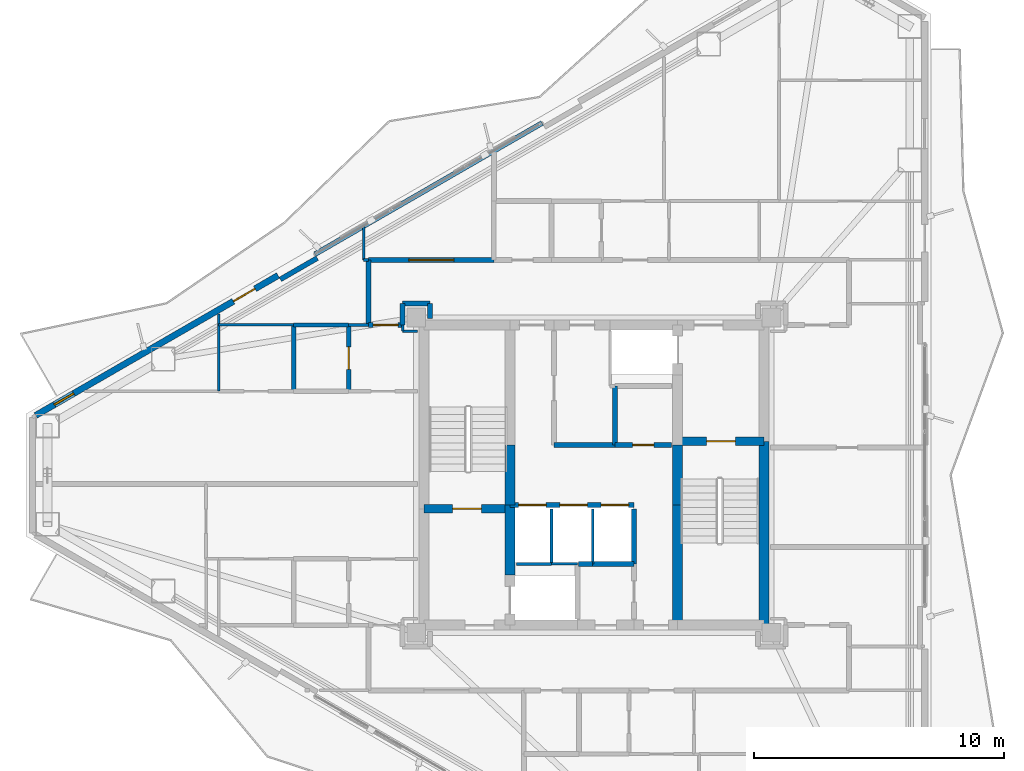
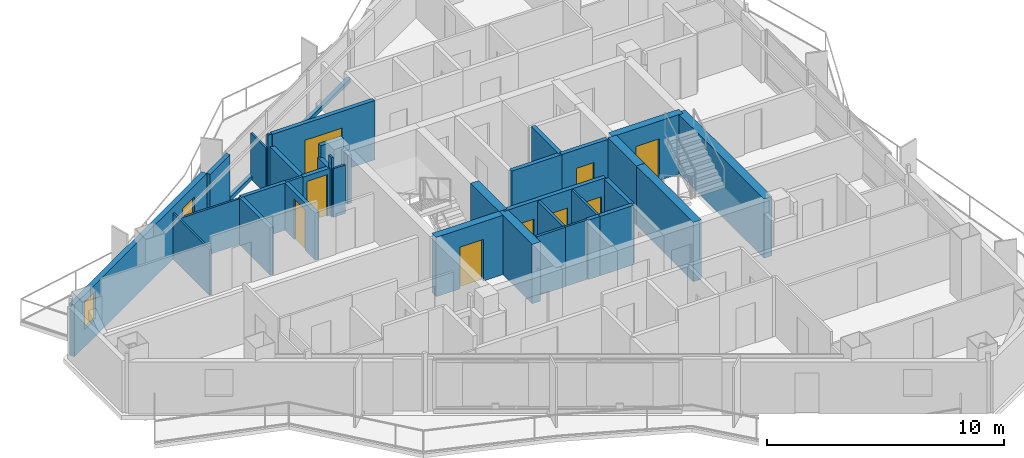
# One storey, part 14 of 19: 37 walls, 10 doors, 1 window, 11 openings.
"""IFC4 building model written with IfcOpenShell, lengths in metres."""

from ifc_helpers import new_model, si_unit, direction, frame, frame_2d, origin, place, context, subcontext, project, spatial, rectangle, extrude, material, layer, layer_set, type_object, element, fill, save


model = new_model("IFC4")

# Units and contexts
model_context = context("Model", 3, precision=1e-05, world=origin(), true_north=direction((0.0, 1.0)))
body_context = subcontext(model_context, "Body", "Model", "MODEL_VIEW")
ifc_project = project(units=[si_unit("LENGTHUNIT", "METRE"), si_unit("AREAUNIT", "SQUARE_METRE"), si_unit("VOLUMEUNIT", "CUBIC_METRE"), si_unit("PLANEANGLEUNIT", "RADIAN"), si_unit("MASSUNIT", "GRAM", prefix="KILO")], contexts=[model_context])

# Site, building, storey
site_placement = place(None, origin())
site = spatial("IfcSite", under=ifc_project, at=site_placement, CompositionType="ELEMENT")
building_placement = place(site_placement, origin())
building = spatial("IfcBuilding", under=site, at=building_placement, Name="Mersakhor Tower and Convention Hall", CompositionType="ELEMENT")
storey_placement = place(building_placement, frame((0.0, 0.0, 124.5)))
storey = spatial("IfcBuildingStorey", under=building, at=storey_placement, Name="L34", CompositionType="ELEMENT", Elevation=124.5)

# Wall, openings, door, window
ifc_material_1 = material(Name="Precast concrete C40/50", Category="concrete")
ifc_layer_1 = layer(ifc_material_1, 0.25)
ifc_layer_set_1 = layer_set([ifc_layer_1], Name="Precast concrete C40/50")
wall_type_1 = type_object("IfcWallType", Name="WL-EXT-250", PredefinedType="SOLIDWALL", material=ifc_layer_set_1)
wall_1_placement = place(storey_placement, frame((6.690185546875, 29.1337890625, 0.0), z_axis=(0.0, 0.0, 1.0), x_axis=(0.866027848477, 0.499995765644, 0.0)))
wall_1 = element("IfcWall", 1, at=wall_1_placement, inside=storey, type_object=wall_type_1, Name="L34 Exterior Facade Wall F1-B1", PredefinedType="SOLIDWALL", context=body_context, shape_type="SweptSolid", body=[
    extrude(rectangle(XDim=11.18603515625, YDim=0.25, at=frame_2d((5.593017578125, 0.0))), origin(), (0.0, 0.0, 1.0), 2.679931640625),
])
opening_1_placement = place(wall_1_placement, frame((9.1220703125, 0.0, 0.0)))
opening_1 = element("IfcOpeningElement", 2, at=opening_1_placement, cuts=wall_1, Name="Opening BD-01", PredefinedType="OPENING", context=body_context, shape_type="SweptSolid", body=[
    extrude(rectangle(XDim=1.0, YDim=2.10009765625, at=frame_2d((0.5, 1.050048828125))), frame((0.0, 0.135009765625, 0.0), z_axis=(0.0, -1.0, 0.0), x_axis=(1.0, 0.0, 0.0)), (0.0, 0.0, 1.0), 0.27001953125),
])
opening_2_placement = place(wall_1_placement, frame((0.860107421875, 0.0, 0.89990234375)))
opening_2 = element("IfcOpeningElement", 3, at=opening_2_placement, cuts=wall_1, Name="Opening W-06", PredefinedType="OPENING", context=body_context, shape_type="SweptSolid", body=[
    extrude(rectangle(XDim=0.89990234375, YDim=1.39990234375, at=frame_2d((0.449951171875, 0.699951171875))), frame((0.0, 0.135009765625, 0.0), z_axis=(0.0, -1.0, 0.0), x_axis=(1.0, 0.0, 0.0)), (0.0, 0.0, 1.0), 0.27001953125),
])
ifc_material_2 = material(Name="Thermally broken dark aluminium and safety glass", Category="aluminium")
door_type_1 = type_object("IfcDoorType", Name="DR-BAL-100x210", OperationType="NOTDEFINED", PredefinedType="DOOR", material=ifc_material_2)
door_1_placement = place(opening_1_placement, origin())
door_1 = element("IfcDoor", 4, at=door_1_placement, inside=storey, type_object=door_type_1, Name="L34 Balcony Terrace Door F1-B1", OperationType="SINGLE_SWING_LEFT", OverallHeight=2.10009765625, OverallWidth=1.0, PredefinedType="DOOR", context=body_context, shape_type="SweptSolid", body=[
    extrude(rectangle(XDim=1.0, YDim=2.10009765625, at=frame_2d((0.5, 1.050048828125))), frame((0.0, 0.02490234375, 0.0), z_axis=(0.0, -1.0, 0.0), x_axis=(1.0, 0.0, 0.0)), (0.0, 0.0, 1.0), 0.050048828125),
])
fill(opening_1, door_1)
ifc_material_3 = material(Name="Dark solar low-E glazed aluminium window", Category="aluminium")
window_type = type_object("IfcWindowType", Name="WN-STD-090x140", PartitioningType="SINGLE_PANEL", PredefinedType="WINDOW", material=ifc_material_3)
window_placement = place(opening_2_placement, origin())
window = element("IfcWindow", 5, at=window_placement, inside=storey, type_object=window_type, Name="L34 Bedroom Facade Window F1-B1-1", OverallHeight=1.39990234375, OverallWidth=0.89990234375, PartitioningType="SINGLE_PANEL", PredefinedType="WINDOW", context=body_context, shape_type="SweptSolid", body=[
    extrude(rectangle(XDim=0.89990234375, YDim=1.39990234375, at=frame_2d((0.449951171875, 0.699951171875))), frame((0.0, 0.030029296875, 0.0), z_axis=(0.0, -1.0, 0.0), x_axis=(1.0, 0.0, 0.0)), (0.0, 0.0, 1.0), 0.06005859375),
])
fill(opening_2, window)

# Walls
ifc_material_4 = material(Name="Precast concrete C40/50", Category="concrete")
ifc_layer_2 = layer(ifc_material_4, 0.199951171875)
ifc_layer_set_2 = layer_set([ifc_layer_2], Name="Precast concrete C40/50")
wall_type_2 = type_object("IfcWallType", Name="WL-PAR-200", PredefinedType="PARAPET", material=ifc_layer_set_2)
wall_2_placement = place(storey_placement, frame((17.849853515625, 35.57666015625, 0.0), z_axis=(0.0, 0.0, 1.0), x_axis=(0.866026619769, 0.499997893847, 0.0)))
element("IfcWall", 6, at=wall_2_placement, inside=storey, type_object=wall_type_2, Name="L34 Curtain Wall Upstand Sill F1-B2", PredefinedType="PARAPET", context=body_context, shape_type="SweptSolid", body=[
    extrude(rectangle(XDim=10.48583984375, YDim=0.199951171875, at=frame_2d((5.242919921875, 0.0))), origin(), (0.0, 0.0, 1.0), 0.199951171875),
])
wall_3_placement = place(storey_placement, frame((16.467529296875, 34.57080078125, 0.0), z_axis=(0.0, 0.0, 1.0), x_axis=(0.865989465428, 0.500062241894, 0.0)))
element("IfcWall", 7, at=wall_3_placement, inside=storey, type_object=wall_type_2, Name="L34 Column Pier Cladding Wall F1-C1", PredefinedType="PARAPET", context=body_context, shape_type="SweptSolid", body=[
    extrude(rectangle(XDim=1.699951171875, YDim=0.199951171875, at=frame_2d((0.85009765625, 0.0))), origin(), (0.0, 0.0, 1.0), 2.679931640625),
])

# Wall, opening, door
ifc_material_5 = material(Name="Moisture-resistant acoustic drywall studwork", Category="other")
ifc_layer_3 = layer(ifc_material_5, 0.175048828125)
ifc_layer_set_3 = layer_set([ifc_layer_3], Name="Moisture-resistant acoustic drywall studwork")
wall_type_3 = type_object("IfcWallType", Name="WL-PLM-175", PredefinedType="PLUMBINGWALL", material=ifc_layer_set_3)
wall_4_placement = place(storey_placement, frame((19.199951171875, 30.10009765625, 0.0), z_axis=(0.0, 0.0, 1.0), x_axis=(0.0, 1.0, 0.0)))
wall_4 = element("IfcWall", 8, at=wall_4_placement, inside=storey, type_object=wall_type_3, Name="L34 Interior Partition Wall P-058", PredefinedType="PLUMBINGWALL", context=body_context, shape_type="SweptSolid", body=[
    extrude(rectangle(XDim=2.64990234375, YDim=0.175048828125, at=frame_2d((1.324951171875, 0.0))), origin(), (0.0, 0.0, 1.0), 2.432861328125),
])
opening_3_placement = place(wall_4_placement, frame((0.875, 0.0, 0.0)))
opening_3 = element("IfcOpeningElement", 9, at=opening_3_placement, cuts=wall_4, Name="Opening WD-01", PredefinedType="OPENING", context=body_context, shape_type="SweptSolid", body=[
    extrude(rectangle(XDim=0.89990234375, YDim=2.10009765625, at=frame_2d((0.449951171875, 1.050048828125))), frame((0.0, 0.097412109375, 0.0), z_axis=(0.0, -1.0, 0.0), x_axis=(1.0, 0.0, 0.0)), (0.0, 0.0, 1.0), 0.195068359375),
])
ifc_material_6 = material(Name="Solid-core hardwood leaf in painted steel frame", Category="steel")
door_type_2 = type_object("IfcDoorType", Name="DR-INT-WET-090x210", OperationType="NOTDEFINED", PredefinedType="DOOR", material=ifc_material_6)
door_2_placement = place(opening_3_placement, origin())
door_2 = element("IfcDoor", 10, at=door_2_placement, inside=storey, type_object=door_type_2, Name="L34 L34 Flat W3 Apartment Hall to L34 Flat W3 Bathroom Door", OperationType="SINGLE_SWING_RIGHT", OverallHeight=2.10009765625, OverallWidth=0.89990234375, PredefinedType="DOOR", context=body_context, shape_type="SweptSolid", body=[
    extrude(rectangle(XDim=0.89990234375, YDim=2.10009765625, at=frame_2d((0.449951171875, 1.050048828125))), frame((0.0, 0.02490234375, 0.0), z_axis=(0.0, -1.0, 0.0), x_axis=(1.0, 0.0, 0.0)), (0.0, 0.0, 1.0), 0.050048828125),
])
fill(opening_3, door_2)

# Walls
wall_5_placement = place(storey_placement, frame((17.0, 32.75, 0.0), z_axis=(0.0, 0.0, 1.0), x_axis=(1.0, 0.0, 0.0)))
element("IfcWall", 11, at=wall_5_placement, inside=storey, type_object=wall_type_3, Name="L34 Interior Partition Wall P-079", PredefinedType="PLUMBINGWALL", context=body_context, shape_type="SweptSolid", body=[
    extrude(rectangle(XDim=2.199951171875, YDim=0.175048828125, at=frame_2d((1.10009765625, 0.0))), origin(), (0.0, 0.0, 1.0), 2.432861328125),
])
wall_6_placement = place(storey_placement, frame((17.0, 30.10009765625, 0.0), z_axis=(0.0, 0.0, 1.0), x_axis=(0.0, 1.0, 0.0)))
element("IfcWall", 12, at=wall_6_placement, inside=storey, type_object=wall_type_3, Name="L34 Interior Partition Wall P-081", PredefinedType="PLUMBINGWALL", context=body_context, shape_type="SweptSolid", body=[
    extrude(rectangle(XDim=2.64990234375, YDim=0.175048828125, at=frame_2d((1.324951171875, 0.0))), origin(), (0.0, 0.0, 1.0), 2.432861328125),
])
ifc_material_7 = material(Name="Lightweight gypsum partition", Category="other")
ifc_layer_4 = layer(ifc_material_7, 0.10009765625)
ifc_layer_set_4 = layer_set([ifc_layer_4], Name="Lightweight gypsum partition")
wall_type_4 = type_object("IfcWallType", Name="WL-PRT-100", PredefinedType="PARTITIONING", material=ifc_layer_set_4)
wall_7_placement = place(storey_placement, frame((27.300048828125, 23.199951171875, 0.0), z_axis=(0.0, 0.0, 1.0), x_axis=(1.0, 0.0, 0.0)))
element("IfcWall", 13, at=wall_7_placement, inside=storey, type_object=wall_type_4, Name="L34 Interior Partition Wall P-002", PredefinedType="PARTITIONING", context=body_context, shape_type="SweptSolid", body=[
    extrude(rectangle(XDim=1.050048828125, YDim=0.10009765625, at=frame_2d((0.52490234375, 0.0))), origin(), (0.0, 0.0, 1.0), 3.06005859375),
])
wall_8_placement = place(storey_placement, frame((28.949951171875, 25.39990234375, 0.0), z_axis=(0.0, 0.0, 1.0), x_axis=(0.0, -1.0, 0.0)))
element("IfcWall", 14, at=wall_8_placement, inside=storey, type_object=wall_type_4, Name="L34 Interior Partition Wall P-008", PredefinedType="PARTITIONING", context=body_context, shape_type="SweptSolid", body=[
    extrude(rectangle(XDim=2.199951171875, YDim=0.10009765625, at=frame_2d((1.10009765625, 0.0))), origin(), (0.0, 0.0, 1.0), 3.06005859375),
])
wall_9_placement = place(storey_placement, frame((21.35009765625, 32.5, 0.0), z_axis=(0.0, 0.0, 1.0), x_axis=(1.0, 0.0, 0.0)))
element("IfcWall", 15, at=wall_9_placement, inside=storey, type_object=wall_type_4, Name="L34 Interior Partition Wall P-056", PredefinedType="PARTITIONING", context=body_context, shape_type="SweptSolid", body=[
    extrude(rectangle(XDim=0.599853515625, YDim=0.10009765625, at=frame_2d((0.2998046875, 0.0))), origin(), (0.0, 0.0, 1.0), 2.50830078125),
])
wall_10_placement = place(storey_placement, frame((21.35009765625, 32.75, 0.0), z_axis=(0.0, 0.0, 1.0), x_axis=(0.0, -1.0, 0.0)))
element("IfcWall", 16, at=wall_10_placement, inside=storey, type_object=wall_type_4, Name="L34 Interior Partition Wall P-060", PredefinedType="PARTITIONING", context=body_context, shape_type="SweptSolid", body=[
    extrude(rectangle(XDim=0.25, YDim=0.10009765625, at=frame_2d((0.125, 0.0))), origin(), (0.0, 0.0, 1.0), 3.06005859375),
])
wall_11_placement = place(storey_placement, frame((14.0, 32.75, 0.0), z_axis=(0.0, 0.0, 1.0), x_axis=(1.0, 0.0, 0.0)))
element("IfcWall", 17, at=wall_11_placement, inside=storey, type_object=wall_type_4, Name="L34 Interior Partition Wall P-082", PredefinedType="PARTITIONING", context=body_context, shape_type="SweptSolid", body=[
    extrude(rectangle(XDim=3.0, YDim=0.10009765625, at=frame_2d((1.5, 0.0))), origin(), (0.0, 0.0, 1.0), 2.364990234375),
])
wall_12_placement = place(storey_placement, frame((14.0, 30.10009765625, 0.0), z_axis=(0.0, 0.0, 1.0), x_axis=(0.0, 1.0, 0.0)))
element("IfcWall", 18, at=wall_12_placement, inside=storey, type_object=wall_type_4, Name="L34 Interior Partition Wall P-084", PredefinedType="PARTITIONING", context=body_context, shape_type="SweptSolid", body=[
    extrude(rectangle(XDim=3.081787109375, YDim=0.10009765625, at=frame_2d((1.541015625, 0.0))), origin(), (0.0, 0.0, 1.0), 2.364990234375),
])
wall_13_placement = place(storey_placement, frame((19.800048828125, 35.35009765625, 0.0), z_axis=(0.0, 0.0, 1.0), x_axis=(0.0, 1.0, 0.0)))
element("IfcWall", 19, at=wall_13_placement, inside=storey, type_object=wall_type_4, Name="L34 Interior Partition Wall P-094", PredefinedType="PARTITIONING", context=body_context, shape_type="SweptSolid", body=[
    extrude(rectangle(XDim=1.30859375, YDim=0.10009765625, at=frame_2d((0.654296875, 0.0))), origin(), (0.0, 0.0, 1.0), 2.364990234375),
])
ifc_material_8 = material(Name="Gypsum board acoustic partition", Category="other")
ifc_layer_5 = layer(ifc_material_8, 0.125)
ifc_layer_set_5 = layer_set([ifc_layer_5], Name="Gypsum board acoustic partition")
wall_type_5 = type_object("IfcWallType", Name="WL-PRT-125", PredefinedType="PARTITIONING", material=ifc_layer_set_5)
wall_14_placement = place(storey_placement, frame((25.89990234375, 23.199951171875, 0.0), z_axis=(0.0, 0.0, 1.0), x_axis=(1.0, 0.0, 0.0)))
element("IfcWall", 20, at=wall_14_placement, inside=storey, type_object=wall_type_5, Name="L34 Interior Partition Wall P-001", PredefinedType="PARTITIONING", context=body_context, shape_type="SweptSolid", body=[
    extrude(rectangle(XDim=1.400146484375, YDim=0.125, at=frame_2d((0.7001953125, 0.0))), origin(), (0.0, 0.0, 1.0), 3.06005859375),
])
wall_15_placement = place(storey_placement, frame((27.300048828125, 25.39990234375, 0.0), z_axis=(0.0, 0.0, 1.0), x_axis=(0.0, -1.0, 0.0)))
element("IfcWall", 21, at=wall_15_placement, inside=storey, type_object=wall_type_5, Name="L34 Interior Partition Wall P-007", PredefinedType="PARTITIONING", context=body_context, shape_type="SweptSolid", body=[
    extrude(rectangle(XDim=2.199951171875, YDim=0.125, at=frame_2d((1.10009765625, 0.0))), origin(), (0.0, 0.0, 1.0), 3.06005859375),
])
wall_16_placement = place(storey_placement, frame((19.199951171875, 32.75, 0.0), z_axis=(0.0, 0.0, 1.0), x_axis=(1.0, 0.0, 0.0)))
element("IfcWall", 22, at=wall_16_placement, inside=storey, type_object=wall_type_5, Name="L34 Interior Partition Wall P-059", PredefinedType="PARTITIONING", context=body_context, shape_type="SweptSolid", body=[
    extrude(rectangle(XDim=0.800048828125, YDim=0.125, at=frame_2d((0.39990234375, 0.0))), origin(), (0.0, 0.0, 1.0), 2.432861328125),
])
wall_17_placement = place(storey_placement, frame((20.0, 35.35009765625, 0.0), z_axis=(0.0, 0.0, 1.0), x_axis=(-1.0, 0.0, 0.0)))
element("IfcWall", 23, at=wall_17_placement, inside=storey, type_object=wall_type_5, Name="L34 Interior Partition Wall P-093", PredefinedType="PARTITIONING", context=body_context, shape_type="SweptSolid", body=[
    extrude(rectangle(XDim=0.199951171875, YDim=0.125, at=frame_2d((0.10009765625, 0.0))), origin(), (0.0, 0.0, 1.0), 3.06005859375),
])

# Wall, openings, doors
ifc_material_9 = material(Name="Acoustic concrete blockwork and gypsum board", Category="masonry")
ifc_layer_6 = layer(ifc_material_9, 0.199951171875)
ifc_layer_set_6 = layer_set([ifc_layer_6], Name="Acoustic concrete blockwork and gypsum board")
wall_type_6 = type_object("IfcWallType", Name="WL-PRT-200", PredefinedType="PARTITIONING", material=ifc_layer_set_6)
wall_18_placement = place(storey_placement, frame((25.64990234375, 25.550048828125, 0.0), z_axis=(0.0, 0.0, 1.0), x_axis=(1.0, 0.0, 0.0)))
wall_18 = element("IfcWall", 24, at=wall_18_placement, inside=storey, type_object=wall_type_6, Name="L34 High-Rise Lift Bank Front Wall", PredefinedType="PARTITIONING", context=body_context, shape_type="SweptSolid", body=[
    extrude(rectangle(XDim=4.9501953125, YDim=0.199951171875, at=frame_2d((2.47509765625, 0.0))), origin(), (0.0, 0.0, 1.0), 3.06005859375),
])
opening_4_placement = place(wall_18_placement, frame((0.340087890625, 0.0, 0.0)))
opening_4 = element("IfcOpeningElement", 25, at=opening_4_placement, cuts=wall_18, Name="Opening LD-P4", PredefinedType="OPENING", context=body_context, shape_type="SweptSolid", body=[
    extrude(rectangle(XDim=1.10009765625, YDim=2.14990234375, at=frame_2d((0.550048828125, 1.074951171875))), frame((0.0, 0.10986328125, 0.0), z_axis=(0.0, -1.0, 0.0), x_axis=(1.0, 0.0, 0.0)), (0.0, 0.0, 1.0), 0.219970703125),
])
opening_5_placement = place(wall_18_placement, frame((1.989990234375, 0.0, 0.0)))
opening_5 = element("IfcOpeningElement", 26, at=opening_5_placement, cuts=wall_18, Name="Opening LD-P5", PredefinedType="OPENING", context=body_context, shape_type="SweptSolid", body=[
    extrude(rectangle(XDim=1.10009765625, YDim=2.14990234375, at=frame_2d((0.550048828125, 1.074951171875))), frame((0.0, 0.10986328125, 0.0), z_axis=(0.0, -1.0, 0.0), x_axis=(1.0, 0.0, 0.0)), (0.0, 0.0, 1.0), 0.219970703125),
])
opening_6_placement = place(wall_18_placement, frame((3.639892578125, 0.0, 0.0)))
opening_6 = element("IfcOpeningElement", 27, at=opening_6_placement, cuts=wall_18, Name="Opening LD-P6", PredefinedType="OPENING", context=body_context, shape_type="SweptSolid", body=[
    extrude(rectangle(XDim=1.10009765625, YDim=2.14990234375, at=frame_2d((0.550048828125, 1.074951171875))), frame((0.0, 0.10986328125, 0.0), z_axis=(0.0, -1.0, 0.0), x_axis=(1.0, 0.0, 0.0)), (0.0, 0.0, 1.0), 0.219970703125),
])
ifc_material_10 = material(Name="Fire-rated brushed stainless steel sliding landing door", Category="steel")
door_type_3 = type_object("IfcDoorType", Name="DR-LIFT-SLD-110x215", OperationType="NOTDEFINED", PredefinedType="DOOR", material=ifc_material_10)
door_3_placement = place(opening_4_placement, origin())
door_3 = element("IfcDoor", 28, at=door_3_placement, inside=storey, type_object=door_type_3, Name="L34 Lift Landing Door LD-P4", OperationType="SLIDING_TO_LEFT", OverallHeight=2.14990234375, OverallWidth=1.10009765625, PredefinedType="DOOR", context=body_context, shape_type="SweptSolid", body=[
    extrude(rectangle(XDim=1.10009765625, YDim=2.14990234375, at=frame_2d((0.550048828125, 1.074951171875))), frame((0.0, 0.02490234375, 0.0), z_axis=(0.0, -1.0, 0.0), x_axis=(1.0, 0.0, 0.0)), (0.0, 0.0, 1.0), 0.050048828125),
])
fill(opening_4, door_3)
door_4_placement = place(opening_5_placement, origin())
door_4 = element("IfcDoor", 29, at=door_4_placement, inside=storey, type_object=door_type_3, Name="L34 Lift Landing Door LD-P5", OperationType="SLIDING_TO_LEFT", OverallHeight=2.14990234375, OverallWidth=1.10009765625, PredefinedType="DOOR", context=body_context, shape_type="SweptSolid", body=[
    extrude(rectangle(XDim=1.10009765625, YDim=2.14990234375, at=frame_2d((0.550048828125, 1.074951171875))), frame((0.0, 0.02490234375, 0.0), z_axis=(0.0, -1.0, 0.0), x_axis=(1.0, 0.0, 0.0)), (0.0, 0.0, 1.0), 0.050048828125),
])
fill(opening_5, door_4)
door_5_placement = place(opening_6_placement, origin())
door_5 = element("IfcDoor", 30, at=door_5_placement, inside=storey, type_object=door_type_3, Name="L34 Lift Landing Door LD-P6", OperationType="SLIDING_TO_LEFT", OverallHeight=2.14990234375, OverallWidth=1.10009765625, PredefinedType="DOOR", context=body_context, shape_type="SweptSolid", body=[
    extrude(rectangle(XDim=1.10009765625, YDim=2.14990234375, at=frame_2d((0.550048828125, 1.074951171875))), frame((0.0, 0.02490234375, 0.0), z_axis=(0.0, -1.0, 0.0), x_axis=(1.0, 0.0, 0.0)), (0.0, 0.0, 1.0), 0.050048828125),
])
fill(opening_6, door_5)

# Walls
wall_19_placement = place(storey_placement, frame((28.949951171875, 23.199951171875, 0.0), z_axis=(0.0, 0.0, 1.0), x_axis=(-1.0, 0.0, 0.0)))
element("IfcWall", 31, at=wall_19_placement, inside=storey, type_object=wall_type_6, Name="L34 Interior Partition Wall P-009", PredefinedType="PARTITIONING", context=body_context, shape_type="SweptSolid", body=[
    extrude(rectangle(XDim=0.570068359375, YDim=0.199951171875, at=frame_2d((0.28515625, 0.0))), origin(), (0.0, 0.0, 1.0), 3.06005859375),
])
wall_20_placement = place(storey_placement, frame((30.60009765625, 25.39990234375, 0.0), z_axis=(0.0, 0.0, 1.0), x_axis=(0.0, -1.0, 0.0)))
element("IfcWall", 32, at=wall_20_placement, inside=storey, type_object=wall_type_6, Name="L34 Interior Partition Wall P-010", PredefinedType="PARTITIONING", context=body_context, shape_type="SweptSolid", body=[
    extrude(rectangle(XDim=2.199951171875, YDim=0.199951171875, at=frame_2d((1.10009765625, 0.0))), origin(), (0.0, 0.0, 1.0), 3.06005859375),
])
wall_21_placement = place(storey_placement, frame((30.60009765625, 23.199951171875, 0.0), z_axis=(0.0, 0.0, 1.0), x_axis=(-1.0, 0.0, 0.0)))
element("IfcWall", 33, at=wall_21_placement, inside=storey, type_object=wall_type_6, Name="L34 Interior Partition Wall P-011", PredefinedType="PARTITIONING", context=body_context, shape_type="SweptSolid", body=[
    extrude(rectangle(XDim=1.650146484375, YDim=0.199951171875, at=frame_2d((0.8251953125, 0.0))), origin(), (0.0, 0.0, 1.0), 3.06005859375),
])
wall_22_placement = place(storey_placement, frame((27.39990234375, 27.949951171875, 0.0), z_axis=(0.0, 0.0, 1.0), x_axis=(1.0, 0.0, 0.0)))
element("IfcWall", 34, at=wall_22_placement, inside=storey, type_object=wall_type_6, Name="L34 Interior Partition Wall P-014", PredefinedType="PARTITIONING", context=body_context, shape_type="SweptSolid", body=[
    extrude(rectangle(XDim=2.4501953125, YDim=0.199951171875, at=frame_2d((1.22509765625, 0.0))), origin(), (0.0, 0.0, 1.0), 3.06005859375),
])

# Wall, opening, door
wall_23_placement = place(storey_placement, frame((29.85009765625, 27.949951171875, 0.0), z_axis=(0.0, 0.0, 1.0), x_axis=(1.0, 0.0, 0.0)))
wall_23 = element("IfcWall", 35, at=wall_23_placement, inside=storey, type_object=wall_type_6, Name="L34 Interior Partition Wall P-015", PredefinedType="PARTITIONING", context=body_context, shape_type="SweptSolid", body=[
    extrude(rectangle(XDim=2.25, YDim=0.199951171875, at=frame_2d((1.125, 0.0))), origin(), (0.0, 0.0, 1.0), 3.06005859375),
])
opening_7_placement = place(wall_23_placement, frame((0.699951171875, 0.0, 0.0)))
opening_7 = element("IfcOpeningElement", 36, at=opening_7_placement, cuts=wall_23, Name="Opening SVD-01", PredefinedType="OPENING", context=body_context, shape_type="SweptSolid", body=[
    extrude(rectangle(XDim=0.85009765625, YDim=2.10009765625, at=frame_2d((0.425048828125, 1.050048828125))), frame((0.0, 0.10986328125, 0.0), z_axis=(0.0, -1.0, 0.0), x_axis=(1.0, 0.0, 0.0)), (0.0, 0.0, 1.0), 0.219970703125),
])
ifc_material_11 = material(Name="Fire-rated hardwood leaf and painted steel frame", Category="steel")
door_type_4 = type_object("IfcDoorType", Name="DR-INT-SVC-085x210", OperationType="NOTDEFINED", PredefinedType="DOOR", material=ifc_material_11)
door_6_placement = place(opening_7_placement, origin())
door_6 = element("IfcDoor", 37, at=door_6_placement, inside=storey, type_object=door_type_4, Name="L34 Central Passenger Lift Lobby to Resident Pram and Linen Store Room Door", OperationType="SINGLE_SWING_RIGHT", OverallHeight=2.10009765625, OverallWidth=0.85009765625, PredefinedType="DOOR", context=body_context, shape_type="SweptSolid", body=[
    extrude(rectangle(XDim=0.85009765625, YDim=2.10009765625, at=frame_2d((0.425048828125, 1.050048828125))), frame((0.0, 0.02490234375, 0.0), z_axis=(0.0, -1.0, 0.0), x_axis=(1.0, 0.0, 0.0)), (0.0, 0.0, 1.0), 0.050048828125),
])
fill(opening_7, door_6)

# Walls
wall_24_placement = place(storey_placement, frame((22.449951171875, 33.0, 0.0), z_axis=(0.0, 0.0, 1.0), x_axis=(0.0, 1.0, 0.0)))
element("IfcWall", 38, at=wall_24_placement, inside=storey, type_object=wall_type_6, Name="L34 Interior Partition Wall P-017", PredefinedType="PARTITIONING", context=body_context, shape_type="SweptSolid", body=[
    extrude(rectangle(XDim=0.60009765625, YDim=0.199951171875, at=frame_2d((0.300048828125, 0.0))), origin(), (0.0, 0.0, 1.0), 2.50830078125),
])
wall_25_placement = place(storey_placement, frame((22.449951171875, 33.60009765625, 0.0), z_axis=(0.0, 0.0, 1.0), x_axis=(-1.0, 0.0, 0.0)))
element("IfcWall", 39, at=wall_25_placement, inside=storey, type_object=wall_type_6, Name="L34 Interior Partition Wall P-018", PredefinedType="PARTITIONING", context=body_context, shape_type="SweptSolid", body=[
    extrude(rectangle(XDim=1.099853515625, YDim=0.199951171875, at=frame_2d((0.5498046875, 0.0))), origin(), (0.0, 0.0, 1.0), 3.06005859375),
])
wall_26_placement = place(storey_placement, frame((21.35009765625, 33.60009765625, 0.0), z_axis=(0.0, 0.0, 1.0), x_axis=(0.0, -1.0, 0.0)))
element("IfcWall", 40, at=wall_26_placement, inside=storey, type_object=wall_type_6, Name="L34 Interior Partition Wall P-019", PredefinedType="PARTITIONING", context=body_context, shape_type="SweptSolid", body=[
    extrude(rectangle(XDim=0.85009765625, YDim=0.199951171875, at=frame_2d((0.425048828125, 0.0))), origin(), (0.0, 0.0, 1.0), 2.432861328125),
])

# Wall, opening, door
wall_27_placement = place(storey_placement, frame((21.35009765625, 32.75, 0.0), z_axis=(0.0, 0.0, 1.0), x_axis=(-1.0, 0.0, 0.0)))
wall_27 = element("IfcWall", 41, at=wall_27_placement, inside=storey, type_object=wall_type_6, Name="L34 Interior Partition Wall P-020", PredefinedType="PARTITIONING", context=body_context, shape_type="SweptSolid", body=[
    extrude(rectangle(XDim=1.35009765625, YDim=0.199951171875, at=frame_2d((0.675048828125, 0.0))), origin(), (0.0, 0.0, 1.0), 2.432861328125),
])
opening_8_placement = place(wall_27_placement, frame((0.175048828125, 0.0, 0.0)))
opening_8 = element("IfcOpeningElement", 42, at=opening_8_placement, cuts=wall_27, Name="Opening FD-01", PredefinedType="OPENING", context=body_context, shape_type="SweptSolid", body=[
    extrude(rectangle(XDim=1.0, YDim=2.14990234375, at=frame_2d((0.5, 1.074951171875))), frame((0.0, 0.10986328125, 0.0), z_axis=(0.0, -1.0, 0.0), x_axis=(1.0, 0.0, 0.0)), (0.0, 0.0, 1.0), 0.219970703125),
])
ifc_material_12 = material(Name="Fire-rated hardwood leaf and painted steel frame", Category="steel")
door_type_5 = type_object("IfcDoorType", Name="DR-INT-FLT-100x215", OperationType="NOTDEFINED", PredefinedType="DOOR", material=ifc_material_12)
door_7_placement = place(opening_8_placement, origin())
door_7 = element("IfcDoor", 43, at=door_7_placement, inside=storey, type_object=door_type_5, Name="L34 Apartment Entrance Door (Residential North Gallery Corridor to L34 Flat W3 Apartment Hall)", OperationType="SINGLE_SWING_LEFT", OverallHeight=2.14990234375, OverallWidth=1.0, PredefinedType="DOOR", context=body_context, shape_type="SweptSolid", body=[
    extrude(rectangle(XDim=1.0, YDim=2.14990234375, at=frame_2d((0.5, 1.074951171875))), frame((0.0, 0.02490234375, 0.0), z_axis=(0.0, -1.0, 0.0), x_axis=(1.0, 0.0, 0.0)), (0.0, 0.0, 1.0), 0.050048828125),
])
fill(opening_8, door_7)

# Wall
wall_28_placement = place(storey_placement, frame((20.0, 32.75, 0.0), z_axis=(0.0, 0.0, 1.0), x_axis=(0.0, 1.0, 0.0)))
element("IfcWall", 44, at=wall_28_placement, inside=storey, type_object=wall_type_6, Name="L34 Interior Partition Wall P-021", PredefinedType="PARTITIONING", context=body_context, shape_type="SweptSolid", body=[
    extrude(rectangle(XDim=2.60009765625, YDim=0.199951171875, at=frame_2d((1.300048828125, 0.0))), origin(), (0.0, 0.0, 1.0), 2.432861328125),
])

# Wall, opening, door
wall_29_placement = place(storey_placement, frame((20.0, 35.35009765625, 0.0), z_axis=(0.0, 0.0, 1.0), x_axis=(1.0, 0.0, 0.0)))
wall_29 = element("IfcWall", 45, at=wall_29_placement, inside=storey, type_object=wall_type_6, Name="L34 Interior Partition Wall P-022", PredefinedType="PARTITIONING", context=body_context, shape_type="SweptSolid", body=[
    extrude(rectangle(XDim=5.0, YDim=0.199951171875, at=frame_2d((2.5, 0.0))), origin(), (0.0, 0.0, 1.0), 3.06005859375),
])
opening_9_placement = place(wall_29_placement, frame((1.60009765625, 0.0, 0.0)))
opening_9 = element("IfcOpeningElement", 46, at=opening_9_placement, cuts=wall_29, Name="Opening HD-01", PredefinedType="OPENING", context=body_context, shape_type="SweptSolid", body=[
    extrude(rectangle(XDim=1.800048828125, YDim=2.199951171875, at=frame_2d((0.89990234375, 1.10009765625))), frame((0.0, 0.10986328125, 0.0), z_axis=(0.0, -1.0, 0.0), x_axis=(1.0, 0.0, 0.0)), (0.0, 0.0, 1.0), 0.219970703125),
])
ifc_material_13 = material(Name="Fire-rated hardwood leaf and painted steel frame", Category="steel")
door_type_6 = type_object("IfcDoorType", Name="DR-INT-HALL-180x220", OperationType="NOTDEFINED", PredefinedType="DOOR", material=ifc_material_13)
door_8_placement = place(opening_9_placement, origin())
door_8 = element("IfcDoor", 47, at=door_8_placement, inside=storey, type_object=door_type_6, Name="L34 Residential North Gallery Corridor to L34 North Floor Residents Meeting Room Door", OperationType="DOUBLE_DOOR_SINGLE_SWING", OverallHeight=2.199951171875, OverallWidth=1.800048828125, PredefinedType="DOOR", context=body_context, shape_type="SweptSolid", body=[
    extrude(rectangle(XDim=1.800048828125, YDim=2.199951171875, at=frame_2d((0.89990234375, 1.10009765625))), frame((0.0, 0.02490234375, 0.0), z_axis=(0.0, -1.0, 0.0), x_axis=(1.0, 0.0, 0.0)), (0.0, 0.0, 1.0), 0.050048828125),
])
fill(opening_9, door_8)

# Wall
wall_30_placement = place(storey_placement, frame((29.85009765625, 30.300048828125, 0.0), z_axis=(0.0, 0.0, 1.0), x_axis=(0.0, -1.0, 0.0)))
element("IfcWall", 48, at=wall_30_placement, inside=storey, type_object=wall_type_6, Name="L34 Interior Partition Wall P-091", PredefinedType="PARTITIONING", context=body_context, shape_type="SweptSolid", body=[
    extrude(rectangle(XDim=2.35009765625, YDim=0.199951171875, at=frame_2d((1.175048828125, 0.0))), origin(), (0.0, 0.0, 1.0), 3.06005859375),
])

# Wall, opening, door
ifc_material_14 = material(Name="Concrete C50/60", Category="concrete")
ifc_layer_7 = layer(ifc_material_14, 0.35009765625)
ifc_layer_set_7 = layer_set([ifc_layer_7], Name="Concrete C50/60")
wall_type_7 = type_object("IfcWallType", Name="WL-SHR-350", PredefinedType="SHEAR", material=ifc_layer_set_7)
wall_31_placement = place(storey_placement, frame((22.199951171875, 25.39990234375, 0.0), z_axis=(0.0, 0.0, 1.0), x_axis=(1.0, 0.0, 0.0)))
wall_31 = element("IfcWall", 49, at=wall_31_placement, inside=storey, type_object=wall_type_7, Name="L34 Core Wall CS-ST1-S", PredefinedType="SHEAR", context=body_context, shape_type="SweptSolid", body=[
    extrude(rectangle(XDim=3.449951171875, YDim=0.35009765625, at=frame_2d((1.72509765625, 0.0))), origin(), (0.0, 0.0, 1.0), 3.06005859375),
])
opening_10_placement = place(wall_31_placement, frame((1.14990234375, 0.0, 0.0)))
opening_10 = element("IfcOpeningElement", 50, at=opening_10_placement, cuts=wall_31, Name="Opening SD-01", PredefinedType="OPENING", context=body_context, shape_type="SweptSolid", body=[
    extrude(rectangle(XDim=1.14990234375, YDim=2.14990234375, at=frame_2d((0.574951171875, 1.074951171875))), frame((0.0, 0.18505859375, 0.0), z_axis=(0.0, -1.0, 0.0), x_axis=(1.0, 0.0, 0.0)), (0.0, 0.0, 1.0), 0.3701171875),
])
ifc_material_15 = material(Name="Fire-rated hardwood leaf and painted steel frame", Category="steel")
door_type_7 = type_object("IfcDoorType", Name="DR-INT-STAIR-115x215", OperationType="NOTDEFINED", PredefinedType="DOOR", material=ifc_material_15)
door_9_placement = place(opening_10_placement, origin())
door_9 = element("IfcDoor", 51, at=door_9_placement, inside=storey, type_object=door_type_7, Name="L34 Exit Stair ST-1 Enclosure Door", OperationType="SINGLE_SWING_LEFT", OverallHeight=2.14990234375, OverallWidth=1.14990234375, PredefinedType="DOOR", context=body_context, shape_type="SweptSolid", body=[
    extrude(rectangle(XDim=1.14990234375, YDim=2.14990234375, at=frame_2d((0.574951171875, 1.074951171875))), frame((0.0, 0.02490234375, 0.0), z_axis=(0.0, -1.0, 0.0), x_axis=(1.0, 0.0, 0.0)), (0.0, 0.0, 1.0), 0.050048828125),
])
fill(opening_10, door_9)

wall_32_placement = place(storey_placement, frame((32.35009765625, 28.10009765625, 0.0), z_axis=(0.0, 0.0, 1.0), x_axis=(1.0, 0.0, 0.0)))
wall_32 = element("IfcWall", 52, at=wall_32_placement, inside=storey, type_object=wall_type_7, Name="L34 Core Wall CS-ST2-N", PredefinedType="SHEAR", context=body_context, shape_type="SweptSolid", body=[
    extrude(rectangle(XDim=3.449951171875, YDim=0.35009765625, at=frame_2d((1.72509765625, 0.0))), origin(), (0.0, 0.0, 1.0), 3.06005859375),
])
opening_11_placement = place(wall_32_placement, frame((1.14990234375, 0.0, 0.0)))
opening_11 = element("IfcOpeningElement", 53, at=opening_11_placement, cuts=wall_32, Name="Opening SD-01", PredefinedType="OPENING", context=body_context, shape_type="SweptSolid", body=[
    extrude(rectangle(XDim=1.14990234375, YDim=2.14990234375, at=frame_2d((0.574951171875, 1.074951171875))), frame((0.0, 0.18505859375, 0.0), z_axis=(0.0, -1.0, 0.0), x_axis=(1.0, 0.0, 0.0)), (0.0, 0.0, 1.0), 0.3701171875),
])
door_10_placement = place(opening_11_placement, origin())
door_10 = element("IfcDoor", 54, at=door_10_placement, inside=storey, type_object=door_type_7, Name="L34 Exit Stair ST-2 Enclosure Door", OperationType="SINGLE_SWING_RIGHT", OverallHeight=2.14990234375, OverallWidth=1.14990234375, PredefinedType="DOOR", context=body_context, shape_type="SweptSolid", body=[
    extrude(rectangle(XDim=1.14990234375, YDim=2.14990234375, at=frame_2d((0.574951171875, 1.074951171875))), frame((0.0, 0.02490234375, 0.0), z_axis=(0.0, -1.0, 0.0), x_axis=(1.0, 0.0, 0.0)), (0.0, 0.0, 1.0), 0.050048828125),
])
fill(opening_11, door_10)

# Walls
ifc_material_16 = material(Name="Concrete C60/75", Category="concrete")
ifc_layer_8 = layer(ifc_material_16, 0.39990234375)
ifc_layer_set_8 = layer_set([ifc_layer_8], Name="Concrete C60/75")
wall_type_8 = type_object("IfcWallType", Name="WL-SHR-400", PredefinedType="SHEAR", material=ifc_layer_set_8)
wall_33_placement = place(storey_placement, frame((35.800048828125, 28.10009765625, 0.0), z_axis=(0.0, 0.0, 1.0), x_axis=(0.0, -1.0, 0.0)))
element("IfcWall", 55, at=wall_33_placement, inside=storey, type_object=wall_type_8, Name="L34 Core Wall CW-E2", PredefinedType="SHEAR", context=body_context, shape_type="SweptSolid", body=[
    extrude(rectangle(XDim=7.35009765625, YDim=0.39990234375, at=frame_2d((3.675048828125, 0.0))), origin(), (0.0, 0.0, 1.0), 3.06005859375),
])
wall_34_placement = place(storey_placement, frame((25.64990234375, 22.75, 0.0), z_axis=(0.0, 0.0, 1.0), x_axis=(0.0, 1.0, 0.0)))
element("IfcWall", 56, at=wall_34_placement, inside=storey, type_object=wall_type_8, Name="L34 Core Wall CS-W-MID", PredefinedType="SHEAR", context=body_context, shape_type="SweptSolid", body=[
    extrude(rectangle(XDim=2.800048828125, YDim=0.39990234375, at=frame_2d((1.39990234375, 0.0))), origin(), (0.0, 0.0, 1.0), 3.06005859375),
])
wall_35_placement = place(storey_placement, frame((25.64990234375, 25.550048828125, 0.0), z_axis=(0.0, 0.0, 1.0), x_axis=(0.0, 1.0, 0.0)))
element("IfcWall", 57, at=wall_35_placement, inside=storey, type_object=wall_type_8, Name="L34 Core Wall CS-W-LOB", PredefinedType="SHEAR", context=body_context, shape_type="SweptSolid", body=[
    extrude(rectangle(XDim=2.39990234375, YDim=0.39990234375, at=frame_2d((1.199951171875, 0.0))), origin(), (0.0, 0.0, 1.0), 3.06005859375),
])
wall_36_placement = place(storey_placement, frame((32.35009765625, 20.75, 0.0), z_axis=(0.0, 0.0, 1.0), x_axis=(0.0, 1.0, 0.0)))
element("IfcWall", 58, at=wall_36_placement, inside=storey, type_object=wall_type_8, Name="L34 Core Wall CS-E-ST2", PredefinedType="SHEAR", context=body_context, shape_type="SweptSolid", body=[
    extrude(rectangle(XDim=4.800048828125, YDim=0.39990234375, at=frame_2d((2.39990234375, 0.0))), origin(), (0.0, 0.0, 1.0), 3.06005859375),
])
wall_37_placement = place(storey_placement, frame((32.35009765625, 25.550048828125, 0.0), z_axis=(0.0, 0.0, 1.0), x_axis=(0.0, 1.0, 0.0)))
element("IfcWall", 59, at=wall_37_placement, inside=storey, type_object=wall_type_8, Name="L34 Core Wall CS-E-LOB", PredefinedType="SHEAR", context=body_context, shape_type="SweptSolid", body=[
    extrude(rectangle(XDim=2.39990234375, YDim=0.39990234375, at=frame_2d((1.199951171875, 0.0))), origin(), (0.0, 0.0, 1.0), 3.06005859375),
])

save(model, "model.ifc")
